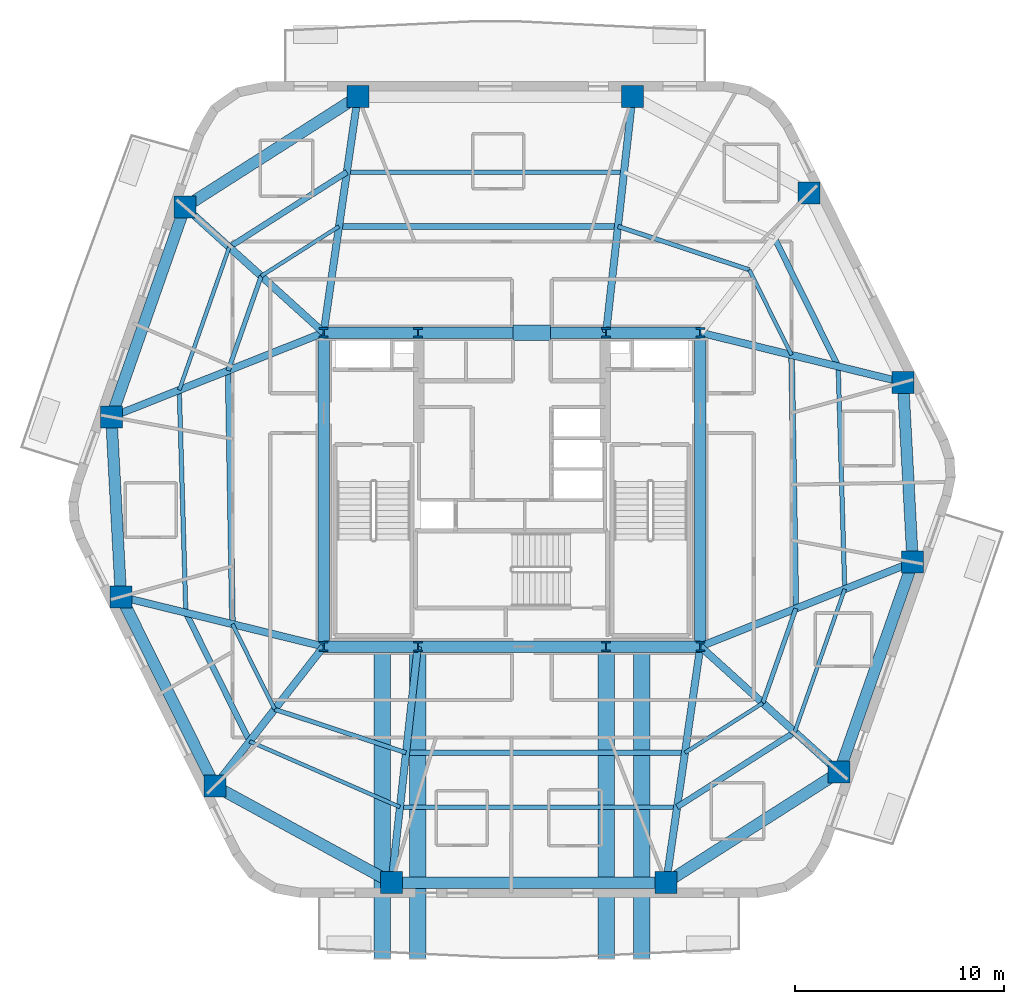
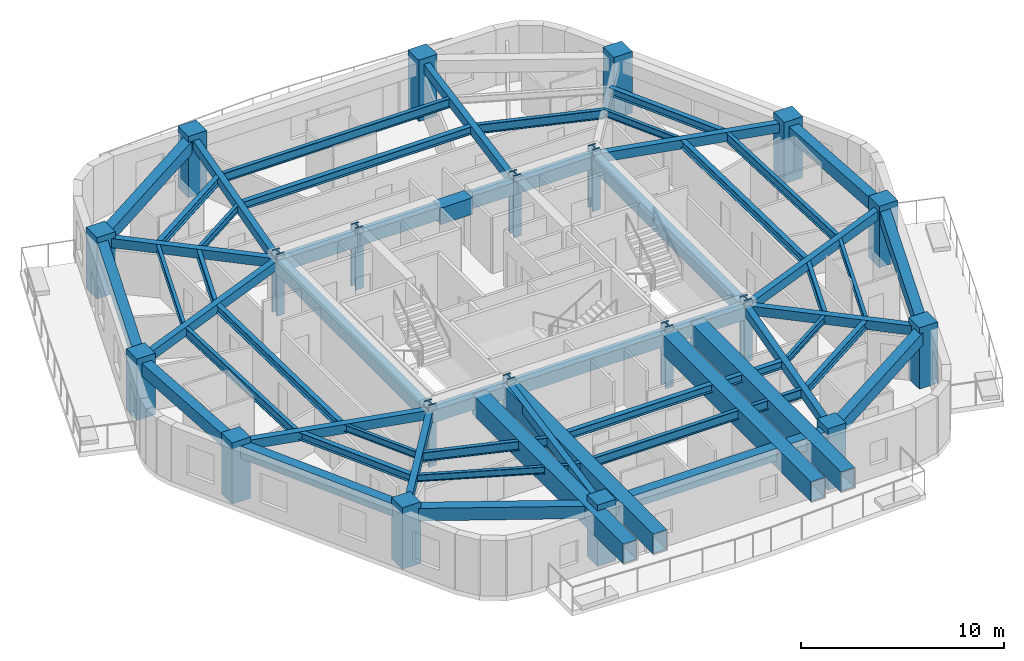
# One storey, part 1 of 11: 56 beams, 20 columns.
"""IFC4 building model written with IfcOpenShell, lengths in metres."""

import ifcopenshell
import ifcopenshell.guid

model = None  # the IFC model being written
_history = None  # IfcOwnerHistory: only IFC2X3 demands one
_inside = {}  # id of a spatial element -> (the spatial element, [elements in it])
_under = {}  # id of a project, library or spatial element -> (it, [spatial elements below it])
_declared = {}  # id of a project -> (the project, [libraries it declares])
_typed = {}  # id of a type object -> (the type object, [elements of that type])
_made_of = {}  # id of a material, layer set ... -> (it, [elements and type objects made of it])


def new_model(schema):
    """Start an empty IFC model of exactly this schema.

    Asked for "IFC4X3", IfcOpenShell would pick the latest addendum, in which some entities
    have other attributes; the version numbers below select the first issue.
    IFC2X3 requires an IfcOwnerHistory on every rooted entity: one is made here for all.
    """
    global model, _history
    if schema == "IFC4X3":
        model = ifcopenshell.file(schema_version=(4, 3, 0, 0))
    else:
        model = ifcopenshell.file(schema=schema)
    _inside.clear()
    _under.clear()
    _declared.clear()
    _typed.clear()
    _made_of.clear()
    _history = None
    if model.schema == "IFC2X3":
        org = make("IfcOrganization", Name="unknown")
        user = make(
            "IfcPersonAndOrganization",
            ThePerson=make("IfcPerson", FamilyName="unknown"),
            TheOrganization=org,
        )
        app = make(
            "IfcApplication",
            ApplicationDeveloper=org,
            Version="unknown",
            ApplicationFullName="unknown",
            ApplicationIdentifier="unknown",
        )
        _history = make(
            "IfcOwnerHistory",
            OwningUser=user,
            OwningApplication=app,
            ChangeAction="ADDED",
            CreationDate=0,
        )
    return model


def make(cls, **values):
    """One entity of the class cls with the attributes given. An attribute that is None is left unset."""
    return model.create_entity(
        cls, **{name: value for name, value in values.items() if value is not None}
    )


def rooted(cls, **values):
    """An entity with a GlobalId (a new one), such as an element, a storey or a relation."""
    return make(cls, GlobalId=ifcopenshell.guid.new(), OwnerHistory=_history, **values)


def si_unit(unit_type, name, prefix=None):
    """IfcSIUnit, for example si_unit("LENGTHUNIT", "METRE", prefix="MILLI")."""
    return make("IfcSIUnit", UnitType=unit_type, Prefix=prefix, Name=name)


def assignment(units):
    """IfcUnitAssignment: the units of a project."""
    return None if units is None else make("IfcUnitAssignment", Units=units)


def point(xyz):
    """IfcCartesianPoint."""
    return None if xyz is None else make("IfcCartesianPoint", Coordinates=xyz)


def direction(xyz):
    """IfcDirection."""
    return None if xyz is None else make("IfcDirection", DirectionRatios=xyz)


def frame(location, z_axis=None, x_axis=None):
    """IfcAxis2Placement3D, a coordinate frame: its origin and axes. An axis left out is left unset."""
    return make(
        "IfcAxis2Placement3D",
        Location=point(location),
        Axis=direction(z_axis),
        RefDirection=direction(x_axis),
    )


def frame_2d(location, x_axis=None):
    """IfcAxis2Placement2D, a coordinate frame in the plane: its origin and x axis."""
    return make(
        "IfcAxis2Placement2D", Location=point(location), RefDirection=direction(x_axis)
    )


def origin():
    """The frame at (0, 0, 0) with its axes left unset."""
    return frame((0.0, 0.0, 0.0))


def origin_2d():
    """The frame at (0, 0) in the plane with its x axis left unset."""
    return frame_2d((0.0, 0.0))


def place(relative_to, where):
    """IfcLocalPlacement: puts the frame where relative to a parent placement (None: the world)."""
    return make(
        "IfcLocalPlacement", PlacementRelTo=relative_to, RelativePlacement=where
    )


def context(
    kind, dimensions, precision=None, world=None, true_north=None, identifier=None
):
    """IfcGeometricRepresentationContext, for example the 3D "Model" context."""
    return make(
        "IfcGeometricRepresentationContext",
        ContextIdentifier=identifier,
        ContextType=kind,
        CoordinateSpaceDimension=dimensions,
        Precision=precision,
        WorldCoordinateSystem=world,
        TrueNorth=true_north,
    )


def subcontext(parent, identifier, kind, view, scale=None):
    """IfcGeometricRepresentationSubContext, for example "Body" below "Model"."""
    return make(
        "IfcGeometricRepresentationSubContext",
        ContextIdentifier=identifier,
        ContextType=kind,
        ParentContext=parent,
        TargetScale=scale,
        TargetView=view,
    )


def project(units=None, contexts=None):
    """IfcProject with its units and contexts."""
    return rooted(
        "IfcProject",
        Name="project",
        RepresentationContexts=contexts,
        UnitsInContext=assignment(units),
    )


def spatial(cls, under=None, at=None, **own):
    """A site, building, storey or space (cls), placed at a placement, below another one or the project."""
    s = rooted(cls, ObjectPlacement=at, **own)
    if under is not None:
        _under.setdefault(under.id(), (under, []))[1].append(s)
    return s


def profile(cls, at=None, kind="AREA", **sizes):
    """A parametric profile (cls). Its sizes go by their IFC names, for example OverallWidth=200.0."""
    return make(cls, ProfileType=kind, Position=at, **sizes)


def rectangle(**sizes):
    """IfcRectangleProfileDef."""
    return profile("IfcRectangleProfileDef", **sizes)


def hollow_rectangle(**sizes):
    """IfcRectangleHollowProfileDef."""
    return profile("IfcRectangleHollowProfileDef", **sizes)


def i_section(**sizes):
    """IfcIShapeProfileDef."""
    return profile("IfcIShapeProfileDef", **sizes)


def extrude(swept, where, along, depth):
    """IfcExtrudedAreaSolid: the profile swept, set in the frame where, extruded along a direction by depth."""
    return make(
        "IfcExtrudedAreaSolid",
        SweptArea=swept,
        Position=where,
        ExtrudedDirection=direction(along),
        Depth=depth,
    )


def shape(context_of_items, identifier, shape_type, items):
    """IfcShapeRepresentation: the items that make up one representation, for example the "Body"."""
    return make(
        "IfcShapeRepresentation",
        ContextOfItems=context_of_items,
        RepresentationIdentifier=identifier,
        RepresentationType=shape_type,
        Items=items,
    )


def material(Name=None, Category=None):
    """IfcMaterial."""
    return make("IfcMaterial", Name=Name, Category=Category)


def material_profile(
    of_material, cross_section, Name=None, Category=None, Priority=None
):
    """IfcMaterialProfile: a cross section and its material."""
    return make(
        "IfcMaterialProfile",
        Name=Name,
        Material=of_material,
        Profile=cross_section,
        Priority=Priority,
        Category=Category,
    )


def profile_set(profiles, Name=None, composite=None):
    """IfcMaterialProfileSet."""
    return make(
        "IfcMaterialProfileSet",
        Name=Name,
        MaterialProfiles=profiles,
        CompositeProfile=composite,
    )


def made_of(thing, what):
    """Note that an element or type object is made of a material, layer set ...; save() writes the relation."""
    if what is not None:
        _made_of.setdefault(what.id(), (what, []))[1].append(thing)
    return thing


def type_object(cls, material=None, **own):
    """A type object (cls), such as IfcWallType, which elements share."""
    return made_of(rooted(cls, **own), material)


def element(
    cls,
    number,
    at=None,
    inside=None,
    cuts=None,
    type_object=None,
    material=None,
    context=None,
    identifier="Body",
    shape_type=None,
    held_by="IfcProductDefinitionShape",
    body=None,
    shapes=None,
    **own,
):
    """One element of the class cls, such as IfcWall. Its Tag is "e" and its number.

    at: its placement. inside: the storey or other place that contains it. cuts: it is an
    opening in that element (IfcRelVoidsElement). A single representation is given by context,
    identifier, shape_type and body (its items); several are given by shapes. held_by: the class
    of the entity that holds the representations. save() writes the other relations.
    """
    e = rooted(cls, Tag="e%d" % number, ObjectPlacement=at, **own)
    if body is not None:
        shapes = [shape(context, identifier, shape_type, body)]
    if shapes is not None:
        e.Representation = make(held_by, Representations=shapes)
    if inside is not None:
        _inside.setdefault(inside.id(), (inside, []))[1].append(e)
    if cuts is not None:
        rooted(
            "IfcRelVoidsElement", RelatingBuildingElement=cuts, RelatedOpeningElement=e
        )
    if type_object is not None:
        _typed.setdefault(type_object.id(), (type_object, []))[1].append(e)
    return made_of(e, material)


def aggregate(whole, parts):
    """IfcRelAggregates: a whole, such as a stair, and the parts it consists of."""
    return rooted("IfcRelAggregates", RelatingObject=whole, RelatedObjects=parts)


def save(model, path):
    """Write the relations noted so far, then the file.

    IfcRelAggregates (storeys below a building ...), IfcRelContainedInSpatialStructure (elements
    in a storey), IfcRelDefinesByType, IfcRelAssociatesMaterial and IfcRelDeclares: one each for
    every whole, place, type object, material and project.
    """
    for whole, parts in _under.values():
        aggregate(whole, parts)
    for where, things in _inside.values():
        rooted(
            "IfcRelContainedInSpatialStructure",
            RelatedElements=things,
            RelatingStructure=where,
        )
    for kind, things in _typed.values():
        rooted("IfcRelDefinesByType", RelatedObjects=things, RelatingType=kind)
    for what, things in _made_of.values():
        rooted("IfcRelAssociatesMaterial", RelatedObjects=things, RelatingMaterial=what)
    for by, libraries in _declared.values():
        rooted("IfcRelDeclares", RelatingContext=by, RelatedDefinitions=libraries)
    model.write(path)


model = new_model("IFC4")

# Units and contexts
model_context = context("Model", 3, precision=1e-05, world=origin(), true_north=direction((0.0, 1.0)))
body_context = subcontext(model_context, "Body", "Model", "MODEL_VIEW")
ifc_project = project(units=[si_unit("LENGTHUNIT", "METRE"), si_unit("AREAUNIT", "SQUARE_METRE"), si_unit("VOLUMEUNIT", "CUBIC_METRE"), si_unit("PLANEANGLEUNIT", "RADIAN"), si_unit("MASSUNIT", "GRAM", prefix="KILO")], contexts=[model_context])

# Site, building, storey
site_placement = place(None, origin())
site = spatial("IfcSite", under=ifc_project, at=site_placement, CompositionType="ELEMENT")
building_placement = place(site_placement, origin())
building = spatial("IfcBuilding", under=site, at=building_placement, Name="Kilnhurst Terrace Hotel", CompositionType="ELEMENT")
storey_placement = place(building_placement, frame((0.0, 0.0, 197.800048828125)))
storey = spatial("IfcBuildingStorey", under=building, at=storey_placement, Name="L49", CompositionType="ELEMENT", Elevation=197.800048828125)

# Columns
ifc_material_1 = material(Name="Concrete C80/95", Category="concrete")
ifc_material_profile_1 = material_profile(ifc_material_1, rectangle(XDim=1.050048828125, YDim=1.050048828125, at=origin_2d()), Name="RC1050X1050")
ifc_profile_set_1 = profile_set([ifc_material_profile_1], Name="Concrete C80/95")
column_type_1 = type_object("IfcColumnType", Name="COL-RC-1050", PredefinedType="COLUMN", material=ifc_profile_set_1)
for number, where, z_axis, x_axis, name in (
    (1, (-5.7548828125, -18.780029296875, 0.0), (0.0, 0.0, 1.0), (1.0, 0.0, 0.0), "L49 Structural Column PC-F11"),
    (2, (7.368896484375, -18.780029296875, 0.0), (0.0, 0.0, 1.0), (1.0, 0.0, 0.0), "L49 Structural Column PC-F12"),
    (3, (15.633056640625, -13.5048828125, 0.0), (0.0, 0.0, 1.0), (1.0, 0.0, 0.0), "L49 Structural Column PC-F21"),
    (4, (19.14794921875, -3.467041015625, 0.0), (0.0, 0.0, 1.0), (1.0, 0.0, 0.0), "L49 Structural Column PC-F22"),
    (5, (18.68701171875, 5.1240234375, 0.0), (0.0, 0.0, 1.0), (1.0, 0.0, 0.0), "L49 Structural Column PC-F31"),
    (6, (14.2041015625, 14.166015625, 0.0), (0.0, 0.0, 1.0), (1.0, 0.0, 0.0), "L49 Structural Column PC-F32"),
    (7, (5.7548828125, 18.780029296875, 0.0), (0.0, 0.0, 1.0), (1.0, 0.0, 0.0), "L49 Structural Column PC-F41"),
    (8, (-7.368896484375, 18.780029296875, 0.0), (0.0, 0.0, 1.0), (1.0, 0.0, 0.0), "L49 Structural Column PC-F42"),
    (9, (-15.633056640625, 13.5048828125, 0.0), (0.0, 0.0, 1.0), (1.0, 0.0, 0.0), "L49 Structural Column PC-F51"),
    (10, (-19.14794921875, 3.467041015625, 0.0), (0.0, 0.0, 1.0), (1.0, 0.0, 0.0), "L49 Structural Column PC-F52"),
    (11, (-18.68701171875, -5.1240234375, 0.0), (0.0, 0.0, 1.0), (1.0, 0.0, 0.0), "L49 Structural Column PC-F61"),
    (12, (-14.2041015625, -14.166015625, 0.0), (0.0, 0.0, 1.0), (1.0, 0.0, 0.0), "L49 Structural Column PC-F62"),
):
    element("IfcColumn", number, at=place(storey_placement, frame(where, z_axis=z_axis, x_axis=x_axis)), inside=storey, type_object=column_type_1, Name=name, PredefinedType="COLUMN", context=body_context, shape_type="SweptSolid", body=[
        extrude(rectangle(XDim=1.050048828125, YDim=1.050048828125, at=origin_2d()), origin(), (0.0, 0.0, 1.0), 3.699951171875),
    ])
ifc_material_2 = material(Name="Steel ASTM A992 Grade 50", Category="steel")
ifc_material_profile_2 = material_profile(ifc_material_2, i_section(OverallWidth=0.43212890625, OverallDepth=0.497802734375, WebThickness=0.0556640625, FlangeThickness=0.0888671875, at=origin_2d()), Name="W14X500")
ifc_profile_set_2 = profile_set([ifc_material_profile_2], Name="Steel ASTM A992 Grade 50")
column_type_2 = type_object("IfcColumnType", Name="COL-STL-W14X500", PredefinedType="COLUMN", material=ifc_profile_set_2)
for number, where, z_axis, x_axis, name in (
    (13, (-9.0, -7.5, 0.0), (0.0, 0.0, 1.0), (1.0, 0.0, 0.0), "L49 Structural Column CC-SW"),
    (14, (-4.5, -7.5, 0.0), (0.0, 0.0, 1.0), (1.0, 0.0, 0.0), "L49 Structural Column CC-SC1"),
    (15, (4.5, -7.5, 0.0), (0.0, 0.0, 1.0), (1.0, 0.0, 0.0), "L49 Structural Column CC-SC2"),
    (16, (9.0, -7.5, 0.0), (0.0, 0.0, 1.0), (1.0, 0.0, 0.0), "L49 Structural Column CC-SE"),
    (17, (9.0, 7.5, 0.0), (0.0, 0.0, 1.0), (1.0, 0.0, 0.0), "L49 Structural Column CC-NE"),
    (18, (4.5, 7.5, 0.0), (0.0, 0.0, 1.0), (1.0, 0.0, 0.0), "L49 Structural Column CC-NC2"),
    (19, (-4.5, 7.5, 0.0), (0.0, 0.0, 1.0), (1.0, 0.0, 0.0), "L49 Structural Column CC-NC1"),
    (20, (-9.0, 7.5, 0.0), (0.0, 0.0, 1.0), (1.0, 0.0, 0.0), "L49 Structural Column CC-NW"),
):
    element("IfcColumn", number, at=place(storey_placement, frame(where, z_axis=z_axis, x_axis=x_axis)), inside=storey, type_object=column_type_2, Name=name, PredefinedType="COLUMN", context=body_context, shape_type="SweptSolid", body=[
        extrude(i_section(OverallWidth=0.43212890625, OverallDepth=0.497802734375, WebThickness=0.0556640625, FlangeThickness=0.0888671875, at=origin_2d()), origin(), (0.0, 0.0, 1.0), 3.699951171875),
    ])

# Beams
ifc_material_3 = material(Name="Steel ASTM A572 Grade 50", Category="steel")
ifc_material_profile_3 = material_profile(ifc_material_3, hollow_rectangle(XDim=0.800048828125, YDim=1.199951171875, WallThickness=0.0400390625, at=origin_2d()), Name="BOX800X1200X40")
ifc_profile_set_3 = profile_set([ifc_material_profile_3], Name="Steel ASTM A572 Grade 50")
beam_type_1 = type_object("IfcBeamType", Name="BM-POOL-BOX-800X1200", PredefinedType="USERDEFINED", material=ifc_profile_set_3)
for number, where, z_axis, x_axis, name in (
    (21, (-6.199951171875, -7.5, 2.75), (0.0, -1.0, 0.0), (1.0, 0.0, 0.0), "L50 Sky Pool Box Cantilever Girder 1"),
    (22, (-4.5, -7.5, 2.75), (0.0, -1.0, 0.0), (1.0, 0.0, 0.0), "L50 Sky Pool Box Cantilever Girder 2"),
    (23, (4.5, -7.5, 2.75), (0.0, -1.0, 0.0), (1.0, 0.0, 0.0), "L50 Sky Pool Box Cantilever Girder 3"),
    (24, (6.199951171875, -7.5, 2.75), (0.0, -1.0, 0.0), (1.0, 0.0, 0.0), "L50 Sky Pool Box Cantilever Girder 4"),
):
    element("IfcBeam", number, at=place(storey_placement, frame(where, z_axis=z_axis, x_axis=x_axis)), inside=storey, type_object=beam_type_1, Name=name, ObjectType="GIRDER", PredefinedType="USERDEFINED", context=body_context, shape_type="SweptSolid", body=[
        extrude(hollow_rectangle(XDim=0.800048828125, YDim=1.199951171875, WallThickness=0.0400390625, at=origin_2d()), origin(), (0.0, 0.0, 1.0), 14.89990234375),
    ])
ifc_material_4 = material(Name="Concrete C50/60", Category="concrete")
ifc_material_profile_4 = material_profile(ifc_material_4, rectangle(XDim=0.35009765625, YDim=0.550048828125, at=origin_2d()), Name="RC350X550")
ifc_profile_set_4 = profile_set([ifc_material_profile_4], Name="Concrete C50/60")
beam_type_2 = type_object("IfcBeamType", Name="BM-RAD-350X550", PredefinedType="BEAM", material=ifc_profile_set_4)
beam_1_placement = place(storey_placement, frame((-4.5, -7.5, 3.074951171875), z_axis=(-0.110566099441, -0.993868772854, 0.0), x_axis=(0.993868772854, -0.110566099441, 0.0)))
element("IfcBeam", 25, at=beam_1_placement, inside=storey, type_object=beam_type_2, Name="L49 Radial Floor Beam 1", PredefinedType="BEAM", context=body_context, shape_type="SweptSolid", body=[
    extrude(rectangle(XDim=0.35009765625, YDim=0.550048828125, at=origin_2d()), origin(), (0.0, 0.0, 1.0), 11.349609375),
])
beam_2_placement = place(storey_placement, frame((9.0, -7.5, 3.074951171875), z_axis=(-0.143112538238, -0.989706421824, 0.0), x_axis=(0.989706421824, -0.143112538238, 0.0)))
element("IfcBeam", 26, at=beam_2_placement, inside=storey, type_object=beam_type_2, Name="L49 Radial Floor Beam 2", PredefinedType="BEAM", context=body_context, shape_type="SweptSolid", body=[
    extrude(rectangle(XDim=0.35009765625, YDim=0.550048828125, at=origin_2d()), origin(), (0.0, 0.0, 1.0), 11.3974609375),
])
beam_3_placement = place(storey_placement, frame((9.0, -7.5, 3.074951171875), z_axis=(0.741338585645, -0.671131210296, 0.0), x_axis=(0.671131210296, 0.741338585645, 0.0)))
element("IfcBeam", 27, at=beam_3_placement, inside=storey, type_object=beam_type_2, Name="L49 Radial Floor Beam 3", PredefinedType="BEAM", context=body_context, shape_type="SweptSolid", body=[
    extrude(rectangle(XDim=0.35009765625, YDim=0.550048828125, at=origin_2d()), origin(), (0.0, 0.0, 1.0), 8.947509765625),
])
beam_4_placement = place(storey_placement, frame((9.0, -7.5, 3.074951171875), z_axis=(0.929302373458, 0.369319778356, 0.0), x_axis=(-0.369319778356, 0.929302373458, 0.0)))
element("IfcBeam", 28, at=beam_4_placement, inside=storey, type_object=beam_type_2, Name="L49 Radial Floor Beam 4", PredefinedType="BEAM", context=body_context, shape_type="SweptSolid", body=[
    extrude(rectangle(XDim=0.35009765625, YDim=0.550048828125, at=origin_2d()), origin(), (0.0, 0.0, 1.0), 10.919921875),
])
beam_5_placement = place(storey_placement, frame((9.0, 7.5, 3.074951171875), z_axis=(0.971212767405, -0.238213686486, 0.0), x_axis=(0.238213686486, 0.971212767405, 0.0)))
element("IfcBeam", 29, at=beam_5_placement, inside=storey, type_object=beam_type_2, Name="L49 Radial Floor Beam 5", PredefinedType="BEAM", context=body_context, shape_type="SweptSolid", body=[
    extrude(rectangle(XDim=0.35009765625, YDim=0.550048828125, at=origin_2d()), origin(), (0.0, 0.0, 1.0), 9.97412109375),
])
beam_6_placement = place(storey_placement, frame((4.5, 7.5, 3.074951171875), z_axis=(0.110566099441, 0.993868772854, 0.0), x_axis=(-0.993868772854, 0.110566099441, 0.0)))
element("IfcBeam", 30, at=beam_6_placement, inside=storey, type_object=beam_type_2, Name="L49 Radial Floor Beam 7", PredefinedType="BEAM", context=body_context, shape_type="SweptSolid", body=[
    extrude(rectangle(XDim=0.35009765625, YDim=0.550048828125, at=origin_2d()), origin(), (0.0, 0.0, 1.0), 11.349609375),
])
beam_7_placement = place(storey_placement, frame((-9.0, 7.5, 3.074951171875), z_axis=(0.143112538238, 0.989706421824, 0.0), x_axis=(-0.989706421824, 0.143112538238, 0.0)))
element("IfcBeam", 31, at=beam_7_placement, inside=storey, type_object=beam_type_2, Name="L49 Radial Floor Beam 8", PredefinedType="BEAM", context=body_context, shape_type="SweptSolid", body=[
    extrude(rectangle(XDim=0.35009765625, YDim=0.550048828125, at=origin_2d()), origin(), (0.0, 0.0, 1.0), 11.3974609375),
])
beam_8_placement = place(storey_placement, frame((-9.0, 7.5, 3.074951171875), z_axis=(-0.741338585645, 0.671131210296, 0.0), x_axis=(-0.671131210296, -0.741338585645, 0.0)))
element("IfcBeam", 32, at=beam_8_placement, inside=storey, type_object=beam_type_2, Name="L49 Radial Floor Beam 9", PredefinedType="BEAM", context=body_context, shape_type="SweptSolid", body=[
    extrude(rectangle(XDim=0.35009765625, YDim=0.550048828125, at=origin_2d()), origin(), (0.0, 0.0, 1.0), 8.947509765625),
])
beam_9_placement = place(storey_placement, frame((-9.0, 7.5, 3.074951171875), z_axis=(-0.929302373458, -0.369319778356, 0.0), x_axis=(0.369319778356, -0.929302373458, 0.0)))
element("IfcBeam", 33, at=beam_9_placement, inside=storey, type_object=beam_type_2, Name="L49 Radial Floor Beam 10", PredefinedType="BEAM", context=body_context, shape_type="SweptSolid", body=[
    extrude(rectangle(XDim=0.35009765625, YDim=0.550048828125, at=origin_2d()), origin(), (0.0, 0.0, 1.0), 10.919921875),
])
beam_10_placement = place(storey_placement, frame((-9.0, -7.5, 3.074951171875), z_axis=(-0.971212767405, 0.238213686486, 0.0), x_axis=(-0.238213686486, -0.971212767405, 0.0)))
element("IfcBeam", 34, at=beam_10_placement, inside=storey, type_object=beam_type_2, Name="L49 Radial Floor Beam 11", PredefinedType="BEAM", context=body_context, shape_type="SweptSolid", body=[
    extrude(rectangle(XDim=0.35009765625, YDim=0.550048828125, at=origin_2d()), origin(), (0.0, 0.0, 1.0), 9.97412109375),
])
beam_11_placement = place(storey_placement, frame((-9.0, -7.5, 3.074951171875), z_axis=(-0.615370616457, -0.78823791104, 0.0), x_axis=(0.78823791104, -0.615370616457, 0.0)))
element("IfcBeam", 35, at=beam_11_placement, inside=storey, type_object=beam_type_2, Name="L49 Radial Floor Beam 12", PredefinedType="BEAM", context=body_context, shape_type="SweptSolid", body=[
    extrude(rectangle(XDim=0.35009765625, YDim=0.550048828125, at=origin_2d()), origin(), (0.0, 0.0, 1.0), 8.456787109375),
])
ifc_material_profile_5 = material_profile(ifc_material_4, rectangle(XDim=0.550048828125, YDim=0.75, at=origin_2d()), Name="RC550X750")
ifc_profile_set_5 = profile_set([ifc_material_profile_5], Name="Concrete C50/60")
beam_type_3 = type_object("IfcBeamType", Name="BM-SPN-550X750", PredefinedType="SPANDREL", material=ifc_profile_set_5)
beam_12_placement = place(storey_placement, frame((-9.0, 7.5, 2.974853515625), z_axis=(1.0, 0.0, 0.0), x_axis=(0.0, 1.0, 0.0)))
element("IfcBeam", 36, at=beam_12_placement, inside=storey, type_object=beam_type_3, Name="L49 Core Tie Beam CC-NW to CC-NC1", PredefinedType="SPANDREL", context=body_context, shape_type="SweptSolid", body=[
    extrude(rectangle(XDim=0.550048828125, YDim=0.75, at=origin_2d()), origin(), (0.0, 0.0, 1.0), 4.5),
])
beam_13_placement = place(storey_placement, frame((-4.5, 7.5, 2.974853515625), z_axis=(1.0, 0.0, 0.0), x_axis=(0.0, 1.0, 0.0)))
element("IfcBeam", 37, at=beam_13_placement, inside=storey, type_object=beam_type_3, Name="L49 Core Tie Beam CC-NC1 to CC-NC2", PredefinedType="SPANDREL", context=body_context, shape_type="SweptSolid", body=[
    extrude(rectangle(XDim=0.550048828125, YDim=0.75, at=origin_2d()), origin(), (0.0, 0.0, 1.0), 9.0),
])
for number, where, z_axis, x_axis, name in (
    (38, (4.5, 7.5, 2.974853515625), (1.0, 0.0, 0.0), (0.0, 1.0, 0.0), "L49 Core Tie Beam CC-NC2 to CC-NE"),
    (39, (-9.0, -7.5, 2.974853515625), (1.0, 0.0, 0.0), (0.0, 1.0, 0.0), "L49 Core Tie Beam CC-SW to CC-SC1"),
):
    element("IfcBeam", number, at=place(storey_placement, frame(where, z_axis=z_axis, x_axis=x_axis)), inside=storey, type_object=beam_type_3, Name=name, PredefinedType="SPANDREL", context=body_context, shape_type="SweptSolid", body=[
        extrude(rectangle(XDim=0.550048828125, YDim=0.75, at=origin_2d()), origin(), (0.0, 0.0, 1.0), 4.5),
    ])
beam_14_placement = place(storey_placement, frame((-4.5, -7.5, 2.974853515625), z_axis=(1.0, 0.0, 0.0), x_axis=(0.0, 1.0, 0.0)))
element("IfcBeam", 40, at=beam_14_placement, inside=storey, type_object=beam_type_3, Name="L49 Core Tie Beam CC-SC1 to CC-SC2", PredefinedType="SPANDREL", context=body_context, shape_type="SweptSolid", body=[
    extrude(rectangle(XDim=0.550048828125, YDim=0.75, at=origin_2d()), origin(), (0.0, 0.0, 1.0), 9.0),
])
beam_15_placement = place(storey_placement, frame((4.5, -7.5, 2.974853515625), z_axis=(1.0, 0.0, 0.0), x_axis=(0.0, 1.0, 0.0)))
element("IfcBeam", 41, at=beam_15_placement, inside=storey, type_object=beam_type_3, Name="L49 Core Tie Beam CC-SC2 to CC-SE", PredefinedType="SPANDREL", context=body_context, shape_type="SweptSolid", body=[
    extrude(rectangle(XDim=0.550048828125, YDim=0.75, at=origin_2d()), origin(), (0.0, 0.0, 1.0), 4.5),
])
for number, where, z_axis, x_axis, name in (
    (42, (-9.0, -7.5, 2.974853515625), (0.0, 1.0, 0.0), (-1.0, 0.0, 0.0), "L49 Core Tie Beam CC-SW to CC-NW"),
    (43, (9.0, -7.5, 2.974853515625), (0.0, 1.0, 0.0), (-1.0, 0.0, 0.0), "L49 Core Tie Beam CC-SE to CC-NE"),
):
    element("IfcBeam", number, at=place(storey_placement, frame(where, z_axis=z_axis, x_axis=x_axis)), inside=storey, type_object=beam_type_3, Name=name, PredefinedType="SPANDREL", context=body_context, shape_type="SweptSolid", body=[
        extrude(rectangle(XDim=0.550048828125, YDim=0.75, at=origin_2d()), origin(), (0.0, 0.0, 1.0), 15.0),
    ])
beam_16_placement = place(storey_placement, frame((-5.7548828125, -18.780029296875, 2.974853515625), z_axis=(1.0, 0.0, 0.0), x_axis=(0.0, 1.0, 0.0)))
element("IfcBeam", 44, at=beam_16_placement, inside=storey, type_object=beam_type_3, Name="L49 Perimeter Spandrel Beam 1", PredefinedType="SPANDREL", context=body_context, shape_type="SweptSolid", body=[
    extrude(rectangle(XDim=0.550048828125, YDim=0.75, at=origin_2d()), origin(), (0.0, 0.0, 1.0), 13.123779296875),
])
beam_17_placement = place(storey_placement, frame((7.368896484375, -18.780029296875, 2.974853515625), z_axis=(0.842915241256, 0.538046369803, 0.0), x_axis=(-0.538046369803, 0.842915241256, 0.0)))
element("IfcBeam", 45, at=beam_17_placement, inside=storey, type_object=beam_type_3, Name="L49 Perimeter Spandrel Beam 2", PredefinedType="SPANDREL", context=body_context, shape_type="SweptSolid", body=[
    extrude(rectangle(XDim=0.550048828125, YDim=0.75, at=origin_2d()), origin(), (0.0, 0.0, 1.0), 9.80419921875),
])
beam_18_placement = place(storey_placement, frame((15.633056640625, -13.5048828125, 2.974853515625), z_axis=(0.330488460168, 0.943810032632, 0.0), x_axis=(-0.943810032632, 0.330488460168, 0.0)))
element("IfcBeam", 46, at=beam_18_placement, inside=storey, type_object=beam_type_3, Name="L49 Perimeter Spandrel Beam 3", PredefinedType="SPANDREL", context=body_context, shape_type="SweptSolid", body=[
    extrude(rectangle(XDim=0.550048828125, YDim=0.75, at=origin_2d()), origin(), (0.0, 0.0, 1.0), 10.635498046875),
])
beam_19_placement = place(storey_placement, frame((19.14794921875, -3.467041015625, 2.974853515625), z_axis=(-0.053576072051, 0.998563770875, 0.0), x_axis=(-0.998563770875, -0.053576072051, 0.0)))
element("IfcBeam", 47, at=beam_19_placement, inside=storey, type_object=beam_type_3, Name="L49 Perimeter Spandrel Beam 4", PredefinedType="SPANDREL", context=body_context, shape_type="SweptSolid", body=[
    extrude(rectangle(XDim=0.550048828125, YDim=0.75, at=origin_2d()), origin(), (0.0, 0.0, 1.0), 8.603515625),
])
beam_20_placement = place(storey_placement, frame((-7.368896484375, 18.780029296875, 2.974853515625), z_axis=(-0.842915241256, -0.538046369803, 0.0), x_axis=(0.538046369803, -0.842915241256, 0.0)))
element("IfcBeam", 48, at=beam_20_placement, inside=storey, type_object=beam_type_3, Name="L49 Perimeter Spandrel Beam 8", PredefinedType="SPANDREL", context=body_context, shape_type="SweptSolid", body=[
    extrude(rectangle(XDim=0.550048828125, YDim=0.75, at=origin_2d()), origin(), (0.0, 0.0, 1.0), 9.80419921875),
])
beam_21_placement = place(storey_placement, frame((-15.633056640625, 13.5048828125, 2.974853515625), z_axis=(-0.330488460168, -0.943810032632, 0.0), x_axis=(0.943810032632, -0.330488460168, 0.0)))
element("IfcBeam", 49, at=beam_21_placement, inside=storey, type_object=beam_type_3, Name="L49 Perimeter Spandrel Beam 9", PredefinedType="SPANDREL", context=body_context, shape_type="SweptSolid", body=[
    extrude(rectangle(XDim=0.550048828125, YDim=0.75, at=origin_2d()), origin(), (0.0, 0.0, 1.0), 10.635498046875),
])
beam_22_placement = place(storey_placement, frame((-19.14794921875, 3.467041015625, 2.974853515625), z_axis=(0.053576072051, -0.998563770875, 0.0), x_axis=(0.998563770875, 0.053576072051, 0.0)))
element("IfcBeam", 50, at=beam_22_placement, inside=storey, type_object=beam_type_3, Name="L49 Perimeter Spandrel Beam 10", PredefinedType="SPANDREL", context=body_context, shape_type="SweptSolid", body=[
    extrude(rectangle(XDim=0.550048828125, YDim=0.75, at=origin_2d()), origin(), (0.0, 0.0, 1.0), 8.603515625),
])
beam_23_placement = place(storey_placement, frame((-18.68701171875, -5.1240234375, 2.974853515625), z_axis=(0.444192032261, -0.895931603682, 0.0), x_axis=(0.895931603682, 0.444192032261, 0.0)))
element("IfcBeam", 51, at=beam_23_placement, inside=storey, type_object=beam_type_3, Name="L49 Perimeter Spandrel Beam 11", PredefinedType="SPANDREL", context=body_context, shape_type="SweptSolid", body=[
    extrude(rectangle(XDim=0.550048828125, YDim=0.75, at=origin_2d()), origin(), (0.0, 0.0, 1.0), 10.09228515625),
])
beam_24_placement = place(storey_placement, frame((-14.2041015625, -14.166015625, 2.974853515625), z_axis=(0.87766189723, -0.479280287672, 0.0), x_axis=(0.479280287672, 0.87766189723, 0.0)))
element("IfcBeam", 52, at=beam_24_placement, inside=storey, type_object=beam_type_3, Name="L49 Perimeter Spandrel Beam 12", PredefinedType="SPANDREL", context=body_context, shape_type="SweptSolid", body=[
    extrude(rectangle(XDim=0.550048828125, YDim=0.75, at=origin_2d()), origin(), (0.0, 0.0, 1.0), 9.626953125),
])
ifc_material_profile_6 = material_profile(ifc_material_2, i_section(OverallWidth=0.180908203125, OverallDepth=0.417236328125, WebThickness=0.010986328125, FlangeThickness=0.018310546875, at=origin_2d()), Name="W16X57")
ifc_profile_set_6 = profile_set([ifc_material_profile_6], Name="Steel ASTM A992 Grade 50")
beam_type_4 = type_object("IfcBeamType", Name="JST-STL-W16X57", PredefinedType="JOIST", material=ifc_profile_set_6)
for number, where, z_axis, x_axis, name in (
    (53, (13.510498046875, -11.58349609375, 3.140869140625), (0.330481239411, 0.943812561051, 0.0), (-0.943812561051, 0.330481239411, 0.0), "L49 Secondary Floor Steel Joist OUT.3"),
    (54, (-13.510498046875, 11.58349609375, 3.140869140625), (-0.330481239411, -0.943812561051, 0.0), (0.943812561051, -0.330481239411, 0.0), "L49 Secondary Floor Steel Joist OUT.9"),
):
    element("IfcBeam", number, at=place(storey_placement, frame(where, z_axis=z_axis, x_axis=x_axis)), inside=storey, type_object=beam_type_4, Name=name, PredefinedType="JOIST", context=body_context, shape_type="SweptSolid", body=[
        extrude(i_section(OverallWidth=0.180908203125, OverallDepth=0.417236328125, WebThickness=0.010986328125, FlangeThickness=0.018310546875, at=origin_2d()), origin(), (0.0, 0.0, 1.0), 7.232177734375),
    ])
beam_25_placement = place(storey_placement, frame((-12.538818359375, -12.032958984375, 3.140869140625), z_axis=(0.916443679054, -0.400163695407, 0.0), x_axis=(0.400163695407, 0.916443679054, 0.0)))
element("IfcBeam", 55, at=beam_25_placement, inside=storey, type_object=beam_type_4, Name="L49 Secondary Floor Steel Joist OUT.12", PredefinedType="JOIST", context=body_context, shape_type="SweptSolid", body=[
    extrude(i_section(OverallWidth=0.180908203125, OverallDepth=0.417236328125, WebThickness=0.010986328125, FlangeThickness=0.018310546875, at=origin_2d()), origin(), (0.0, 0.0, 1.0), 7.84033203125),
])
beam_26_placement = place(storey_placement, frame((8.26611328125, -12.575927734375, 3.140869140625), z_axis=(0.842910995806, 0.53805302076, 0.0), x_axis=(-0.53805302076, 0.842910995806, 0.0)))
element("IfcBeam", 56, at=beam_26_placement, inside=storey, type_object=beam_type_4, Name="L49 Secondary Floor Steel Joist IN.2", PredefinedType="JOIST", context=body_context, shape_type="SweptSolid", body=[
    extrude(i_section(OverallWidth=0.180908203125, OverallDepth=0.417236328125, WebThickness=0.010986328125, FlangeThickness=0.018310546875, at=origin_2d()), origin(), (0.0, 0.0, 1.0), 4.411865234375),
])
beam_27_placement = place(storey_placement, frame((13.359130859375, 6.430908203125, 3.140869140625), z_axis=(-0.444200626094, 0.895927342912, 0.0), x_axis=(-0.895927342912, -0.444200626094, 0.0)))
element("IfcBeam", 57, at=beam_27_placement, inside=storey, type_object=beam_type_4, Name="L49 Secondary Floor Steel Joist IN.5", PredefinedType="JOIST", context=body_context, shape_type="SweptSolid", body=[
    extrude(i_section(OverallWidth=0.180908203125, OverallDepth=0.417236328125, WebThickness=0.010986328125, FlangeThickness=0.018310546875, at=origin_2d()), origin(), (0.0, 0.0, 1.0), 4.54150390625),
])
beam_28_placement = place(storey_placement, frame((-8.26611328125, 12.575927734375, 3.140869140625), z_axis=(-0.842910995806, -0.53805302076, 0.0), x_axis=(0.53805302076, -0.842910995806, 0.0)))
element("IfcBeam", 58, at=beam_28_placement, inside=storey, type_object=beam_type_4, Name="L49 Secondary Floor Steel Joist IN.8", PredefinedType="JOIST", context=body_context, shape_type="SweptSolid", body=[
    extrude(i_section(OverallWidth=0.180908203125, OverallDepth=0.417236328125, WebThickness=0.010986328125, FlangeThickness=0.018310546875, at=origin_2d()), origin(), (0.0, 0.0, 1.0), 4.411865234375),
])
beam_29_placement = place(storey_placement, frame((-13.359130859375, -6.430908203125, 3.140869140625), z_axis=(0.444200626094, -0.895927342912, 0.0), x_axis=(0.895927342912, 0.444200626094, 0.0)))
element("IfcBeam", 59, at=beam_29_placement, inside=storey, type_object=beam_type_4, Name="L49 Secondary Floor Steel Joist IN.11", PredefinedType="JOIST", context=body_context, shape_type="SweptSolid", body=[
    extrude(i_section(OverallWidth=0.180908203125, OverallDepth=0.417236328125, WebThickness=0.010986328125, FlangeThickness=0.018310546875, at=origin_2d()), origin(), (0.0, 0.0, 1.0), 4.54150390625),
])
ifc_material_profile_7 = material_profile(ifc_material_2, i_section(OverallWidth=0.279296875, OverallDepth=0.462890625, WebThickness=0.0107421875, FlangeThickness=0.017333984375, at=origin_2d()), Name="W18X76")
ifc_profile_set_7 = profile_set([ifc_material_profile_7], Name="Steel ASTM A992 Grade 50")
beam_type_5 = type_object("IfcBeamType", Name="JST-STL-W18X76", PredefinedType="JOIST", material=ifc_profile_set_7)
beam_30_placement = place(storey_placement, frame((7.890869140625, -15.17041015625, 3.117919921875), z_axis=(0.842927863369, 0.538026595213, 0.0), x_axis=(-0.538026595213, 0.842927863369, 0.0)))
element("IfcBeam", 60, at=beam_30_placement, inside=storey, type_object=beam_type_5, Name="L49 Secondary Floor Steel Joist OUT.2", PredefinedType="JOIST", context=body_context, shape_type="SweptSolid", body=[
    extrude(i_section(OverallWidth=0.279296875, OverallDepth=0.462890625, WebThickness=0.0107421875, FlangeThickness=0.017333984375, at=origin_2d()), origin(), (0.0, 0.0, 1.0), 6.666748046875),
])
beam_31_placement = place(storey_placement, frame((15.587158203125, 5.88427734375, 3.117919921875), z_axis=(-0.444180101574, 0.895937518673, 0.0), x_axis=(-0.895937518673, -0.444180101574, 0.0)))
element("IfcBeam", 61, at=beam_31_placement, inside=storey, type_object=beam_type_5, Name="L49 Secondary Floor Steel Joist OUT.5", PredefinedType="JOIST", context=body_context, shape_type="SweptSolid", body=[
    extrude(i_section(OverallWidth=0.279296875, OverallDepth=0.462890625, WebThickness=0.0107421875, FlangeThickness=0.017333984375, at=origin_2d()), origin(), (0.0, 0.0, 1.0), 6.86279296875),
])
beam_32_placement = place(storey_placement, frame((-7.890869140625, 15.17041015625, 3.117919921875), z_axis=(-0.842927863369, -0.538026595213, 0.0), x_axis=(0.538026595213, -0.842927863369, 0.0)))
element("IfcBeam", 62, at=beam_32_placement, inside=storey, type_object=beam_type_5, Name="L49 Secondary Floor Steel Joist OUT.8", PredefinedType="JOIST", context=body_context, shape_type="SweptSolid", body=[
    extrude(i_section(OverallWidth=0.279296875, OverallDepth=0.462890625, WebThickness=0.0107421875, FlangeThickness=0.017333984375, at=origin_2d()), origin(), (0.0, 0.0, 1.0), 6.666748046875),
])
beam_33_placement = place(storey_placement, frame((-15.587158203125, -5.88427734375, 3.117919921875), z_axis=(0.444180101574, -0.895937518673, 0.0), x_axis=(0.895937518673, 0.444180101574, 0.0)))
element("IfcBeam", 63, at=beam_33_placement, inside=storey, type_object=beam_type_5, Name="L49 Secondary Floor Steel Joist OUT.11", PredefinedType="JOIST", context=body_context, shape_type="SweptSolid", body=[
    extrude(i_section(OverallWidth=0.279296875, OverallDepth=0.462890625, WebThickness=0.0107421875, FlangeThickness=0.017333984375, at=origin_2d()), origin(), (0.0, 0.0, 1.0), 6.86279296875),
])
beam_34_placement = place(storey_placement, frame((-5.064697265625, -12.575927734375, 3.117919921875), z_axis=(1.0, 0.0, 0.0), x_axis=(0.0, 1.0, 0.0)))
element("IfcBeam", 64, at=beam_34_placement, inside=storey, type_object=beam_type_5, Name="L49 Secondary Floor Steel Joist IN.1", PredefinedType="JOIST", context=body_context, shape_type="SweptSolid", body=[
    extrude(i_section(OverallWidth=0.279296875, OverallDepth=0.462890625, WebThickness=0.0107421875, FlangeThickness=0.017333984375, at=origin_2d()), origin(), (0.0, 0.0, 1.0), 13.330810546875),
])
beam_35_placement = place(storey_placement, frame((13.566650390625, -5.685302734375, 3.117919921875), z_axis=(-0.017124916462, 0.999853357866, 0.0), x_axis=(-0.999853357866, -0.017124916462, 0.0)))
element("IfcBeam", 65, at=beam_35_placement, inside=storey, type_object=beam_type_5, Name="L49 Secondary Floor Steel Joist IN.4", PredefinedType="JOIST", context=body_context, shape_type="SweptSolid", body=[
    extrude(i_section(OverallWidth=0.279296875, OverallDepth=0.462890625, WebThickness=0.0107421875, FlangeThickness=0.017333984375, at=origin_2d()), origin(), (0.0, 0.0, 1.0), 12.117919921875),
])
beam_36_placement = place(storey_placement, frame((5.064697265625, 12.575927734375, 3.117919921875), z_axis=(-1.0, 0.0, 0.0), x_axis=(0.0, -1.0, 0.0)))
element("IfcBeam", 66, at=beam_36_placement, inside=storey, type_object=beam_type_5, Name="L49 Secondary Floor Steel Joist IN.7", PredefinedType="JOIST", context=body_context, shape_type="SweptSolid", body=[
    extrude(i_section(OverallWidth=0.279296875, OverallDepth=0.462890625, WebThickness=0.0107421875, FlangeThickness=0.017333984375, at=origin_2d()), origin(), (0.0, 0.0, 1.0), 13.330810546875),
])
beam_37_placement = place(storey_placement, frame((-13.566650390625, 5.685302734375, 3.117919921875), z_axis=(0.017124916462, -0.999853357866, 0.0), x_axis=(0.999853357866, 0.017124916462, 0.0)))
element("IfcBeam", 67, at=beam_37_placement, inside=storey, type_object=beam_type_5, Name="L49 Secondary Floor Steel Joist IN.10", PredefinedType="JOIST", context=body_context, shape_type="SweptSolid", body=[
    extrude(i_section(OverallWidth=0.279296875, OverallDepth=0.462890625, WebThickness=0.0107421875, FlangeThickness=0.017333984375, at=origin_2d()), origin(), (0.0, 0.0, 1.0), 12.117919921875),
])
ifc_material_profile_8 = material_profile(ifc_material_2, i_section(OverallWidth=0.2138671875, OverallDepth=0.549072265625, WebThickness=0.0146484375, FlangeThickness=0.023681640625, at=origin_2d()), Name="W21X93")
ifc_profile_set_8 = profile_set([ifc_material_profile_8], Name="Steel ASTM A992 Grade 50")
beam_type_6 = type_object("IfcBeamType", Name="JST-STL-W21X93", PredefinedType="JOIST", material=ifc_profile_set_8)
beam_38_placement = place(storey_placement, frame((-5.353515625, -15.17041015625, 3.074951171875), z_axis=(1.0, 0.0, 0.0), x_axis=(0.0, 1.0, 0.0)))
element("IfcBeam", 68, at=beam_38_placement, inside=storey, type_object=beam_type_6, Name="L49 Secondary Floor Steel Joist OUT.1", PredefinedType="JOIST", context=body_context, shape_type="SweptSolid", body=[
    extrude(i_section(OverallWidth=0.2138671875, OverallDepth=0.549072265625, WebThickness=0.0146484375, FlangeThickness=0.023681640625, at=origin_2d()), origin(), (0.0, 0.0, 1.0), 13.244384765625),
])
beam_39_placement = place(storey_placement, frame((15.900634765625, -4.757568359375, 3.074951171875), z_axis=(-0.029444201298, 0.999566425512, 0.0), x_axis=(-0.999566425512, -0.029444201298, 0.0)))
element("IfcBeam", 69, at=beam_39_placement, inside=storey, type_object=beam_type_6, Name="L49 Secondary Floor Steel Joist OUT.4", PredefinedType="JOIST", context=body_context, shape_type="SweptSolid", body=[
    extrude(i_section(OverallWidth=0.2138671875, OverallDepth=0.549072265625, WebThickness=0.0146484375, FlangeThickness=0.023681640625, at=origin_2d()), origin(), (0.0, 0.0, 1.0), 10.646484375),
])
beam_40_placement = place(storey_placement, frame((5.353515625, 15.17041015625, 3.074951171875), z_axis=(-1.0, 0.0, 0.0), x_axis=(0.0, -1.0, 0.0)))
element("IfcBeam", 70, at=beam_40_placement, inside=storey, type_object=beam_type_6, Name="L49 Secondary Floor Steel Joist OUT.7", PredefinedType="JOIST", context=body_context, shape_type="SweptSolid", body=[
    extrude(i_section(OverallWidth=0.2138671875, OverallDepth=0.549072265625, WebThickness=0.0146484375, FlangeThickness=0.023681640625, at=origin_2d()), origin(), (0.0, 0.0, 1.0), 13.244384765625),
])
beam_41_placement = place(storey_placement, frame((-15.900634765625, 4.757568359375, 3.074951171875), z_axis=(0.029444201298, -0.999566425512, 0.0), x_axis=(0.999566425512, 0.029444201298, 0.0)))
element("IfcBeam", 71, at=beam_41_placement, inside=storey, type_object=beam_type_6, Name="L49 Secondary Floor Steel Joist OUT.10", PredefinedType="JOIST", context=body_context, shape_type="SweptSolid", body=[
    extrude(i_section(OverallWidth=0.2138671875, OverallDepth=0.549072265625, WebThickness=0.0146484375, FlangeThickness=0.023681640625, at=origin_2d()), origin(), (0.0, 0.0, 1.0), 10.646484375),
])
beam_42_placement = place(storey_placement, frame((11.98486328125, -10.2021484375, 3.074951171875), z_axis=(0.330516298629, 0.943800284139, 0.0), x_axis=(-0.943800284139, 0.330516298629, 0.0)))
element("IfcBeam", 72, at=beam_42_placement, inside=storey, type_object=beam_type_6, Name="L49 Secondary Floor Steel Joist IN.3", PredefinedType="JOIST", context=body_context, shape_type="SweptSolid", body=[
    extrude(i_section(OverallWidth=0.2138671875, OverallDepth=0.549072265625, WebThickness=0.0146484375, FlangeThickness=0.023681640625, at=origin_2d()), origin(), (0.0, 0.0, 1.0), 4.785888671875),
])
beam_43_placement = place(storey_placement, frame((11.341796875, 10.499755859375, 3.074951171875), z_axis=(-0.949415572736, 0.314022404051, 0.0), x_axis=(-0.314022404051, -0.949415572736, 0.0)))
element("IfcBeam", 73, at=beam_43_placement, inside=storey, type_object=beam_type_6, Name="L49 Secondary Floor Steel Joist IN.6", PredefinedType="JOIST", context=body_context, shape_type="SweptSolid", body=[
    extrude(i_section(OverallWidth=0.2138671875, OverallDepth=0.549072265625, WebThickness=0.0146484375, FlangeThickness=0.023681640625, at=origin_2d()), origin(), (0.0, 0.0, 1.0), 6.611572265625),
])
beam_44_placement = place(storey_placement, frame((-11.98486328125, 10.2021484375, 3.074951171875), z_axis=(-0.330516298629, -0.943800284139, 0.0), x_axis=(0.943800284139, -0.330516298629, 0.0)))
element("IfcBeam", 74, at=beam_44_placement, inside=storey, type_object=beam_type_6, Name="L49 Secondary Floor Steel Joist IN.9", PredefinedType="JOIST", context=body_context, shape_type="SweptSolid", body=[
    extrude(i_section(OverallWidth=0.2138671875, OverallDepth=0.549072265625, WebThickness=0.0146484375, FlangeThickness=0.023681640625, at=origin_2d()), origin(), (0.0, 0.0, 1.0), 4.785888671875),
])
beam_45_placement = place(storey_placement, frame((-11.341796875, -10.499755859375, 3.074951171875), z_axis=(0.949415572736, -0.314022404051, 0.0), x_axis=(0.314022404051, 0.949415572736, 0.0)))
element("IfcBeam", 75, at=beam_45_placement, inside=storey, type_object=beam_type_6, Name="L49 Secondary Floor Steel Joist IN.12", PredefinedType="JOIST", context=body_context, shape_type="SweptSolid", body=[
    extrude(i_section(OverallWidth=0.2138671875, OverallDepth=0.549072265625, WebThickness=0.0146484375, FlangeThickness=0.023681640625, at=origin_2d()), origin(), (0.0, 0.0, 1.0), 6.611572265625),
])
ifc_material_5 = material(Name="Concrete C60/75", Category="concrete")
ifc_material_profile_9 = material_profile(ifc_material_5, rectangle(XDim=0.75, YDim=1.0, at=origin_2d()), Name="RC750X1000")
ifc_profile_set_9 = profile_set([ifc_material_profile_9], Name="Concrete C60/75")
beam_type_7 = type_object("IfcBeamType", Name="LNT-CB-750X1000", PredefinedType="LINTEL", material=ifc_profile_set_9)
beam_46_placement = place(storey_placement, frame((0.050048828125, 7.5, 2.849853515625), z_axis=(1.0, 0.0, 0.0), x_axis=(0.0, 1.0, 0.0)))
element("IfcBeam", 76, at=beam_46_placement, inside=storey, type_object=beam_type_7, Name="L49 North Core Coupling Link Beam", PredefinedType="LINTEL", context=body_context, shape_type="SweptSolid", body=[
    extrude(rectangle(XDim=0.75, YDim=1.0, at=origin_2d()), origin(), (0.0, 0.0, 1.0), 1.800048828125),
])

save(model, "model.ifc")
